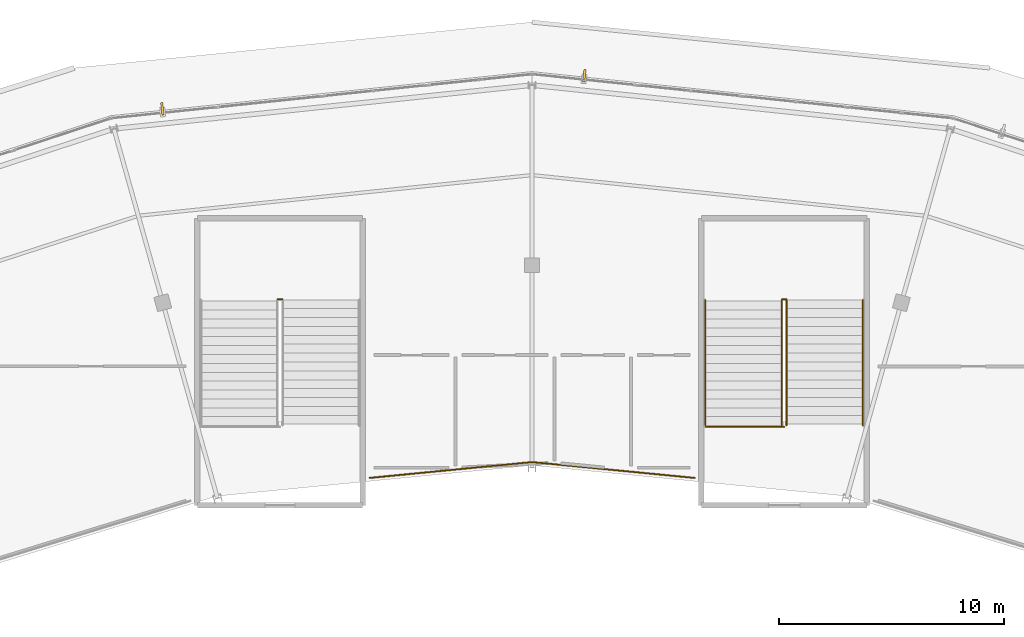
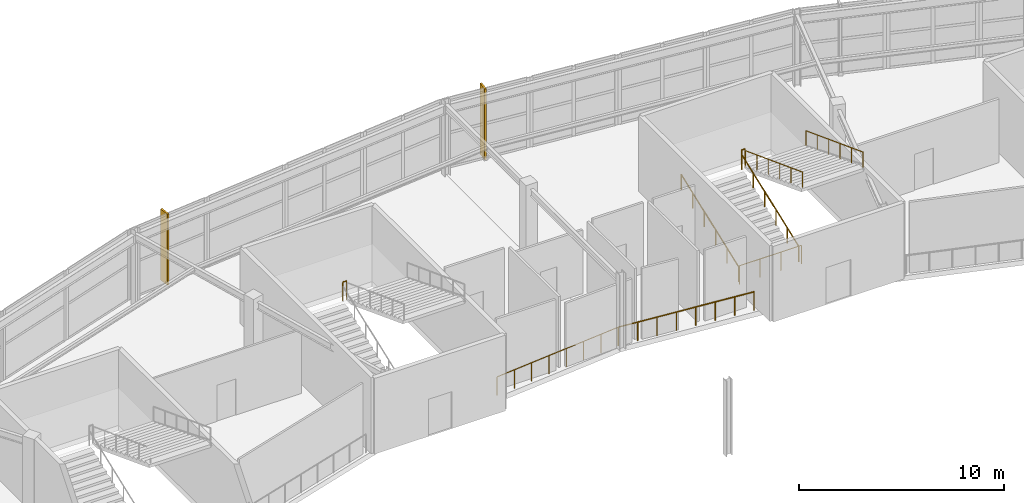
# One storey, part 124 of 126: 9 railings, 2 shading devices.
"""IFC4 building model written with IfcOpenShell, lengths in metres."""

from ifc_helpers import new_model, si_unit, direction, frame, origin, origin_2d, place, context, subcontext, project, spatial, rectangle, circle, extrude, material, layer, layer_set, type_object, element, save


model = new_model("IFC4")

# Units and contexts
model_context = context("Model", 3, precision=1e-05, world=origin(), true_north=direction((0.0, 1.0)))
body_context = subcontext(model_context, "Body", "Model", "MODEL_VIEW")
ifc_project = project(units=[si_unit("LENGTHUNIT", "METRE"), si_unit("AREAUNIT", "SQUARE_METRE"), si_unit("VOLUMEUNIT", "CUBIC_METRE"), si_unit("PLANEANGLEUNIT", "RADIAN"), si_unit("MASSUNIT", "GRAM", prefix="KILO")], contexts=[model_context])

# Site, building, storey
site_placement = place(None, origin())
site = spatial("IfcSite", under=ifc_project, at=site_placement, CompositionType="ELEMENT")
building_placement = place(site_placement, origin())
building = spatial("IfcBuilding", under=site, at=building_placement, Name="Kalgoora Escarpment Arena", CompositionType="ELEMENT")
storey_placement = place(building_placement, frame((0.0, 0.0, 18.89990234375)))
storey = spatial("IfcBuildingStorey", under=building, at=storey_placement, Name="L04", CompositionType="ELEMENT", Elevation=18.89990234375)

# Railings
ifc_material_1 = material(Name="Galvanised & powdercoated tubular steel", Category="steel")
railing_type_1 = type_object("IfcRailingType", Name="RAL-GUARD-1120", PredefinedType="GUARDRAIL", material=ifc_material_1)
railing_1_placement = place(storey_placement, frame((81.10009765625, 111.47998046875, 2.25)))
element("IfcRailing", 1, at=railing_1_placement, inside=storey, type_object=railing_type_1, Name="ST10 L04 half-landing well guard", PredefinedType="GUARDRAIL", context=body_context, shape_type="SweptSolid", body=[
    extrude(circle(Radius=0.02392578125, at=origin_2d()), frame((0.0, 0.0, 1.09619140625), z_axis=(1.0, 0.0, 0.0), x_axis=(0.0, 1.0, 0.0)), (0.0, 0.0, 1.0), 0.199951171875),
    extrude(circle(Radius=0.02099609375, at=origin_2d()), origin(), (0.0, 0.0, 1.0), 1.072021484375),
    extrude(circle(Radius=0.02099609375, at=origin_2d()), frame((0.199951171875, 0.0, 0.0)), (0.0, 0.0, 1.0), 1.072021484375),
])
railing_2_placement = place(storey_placement, frame((103.5048828125, 111.47998046875, 2.25)))
element("IfcRailing", 2, at=railing_2_placement, inside=storey, type_object=railing_type_1, Name="ST11 L04 half-landing well guard", PredefinedType="GUARDRAIL", context=body_context, shape_type="SweptSolid", body=[
    extrude(circle(Radius=0.02392578125, at=origin_2d()), frame((0.0, 0.0, 1.09619140625), z_axis=(1.0, 0.0, 0.0), x_axis=(0.0, 1.0, 0.0)), (0.0, 0.0, 1.0), 0.190185546875),
    extrude(circle(Radius=0.02099609375, at=origin_2d()), origin(), (0.0, 0.0, 1.0), 1.072021484375),
    extrude(circle(Radius=0.02099609375, at=origin_2d()), frame((0.190185546875, 0.0, 0.0)), (0.0, 0.0, 1.0), 1.072021484375),
])
railing_3_placement = place(storey_placement, frame((100.110107421875, 105.81005859375, 0.0)))
element("IfcRailing", 3, at=railing_3_placement, inside=storey, type_object=railing_type_1, Name="ST11 L04 floor landing well guard", PredefinedType="GUARDRAIL", context=body_context, shape_type="SweptSolid", body=[
    extrude(circle(Radius=0.02392578125, at=origin_2d()), frame((0.0, 0.0, 1.09619140625), z_axis=(1.0, 0.0, 0.0), x_axis=(0.0, 1.0, 0.0)), (0.0, 0.0, 1.0), 3.489990234375),
    extrude(circle(Radius=0.02099609375, at=origin_2d()), origin(), (0.0, 0.0, 1.0), 1.072021484375),
    extrude(circle(Radius=0.02099609375, at=origin_2d()), frame((1.163330078125, 0.0, 0.0)), (0.0, 0.0, 1.0), 1.072021484375),
    extrude(circle(Radius=0.02099609375, at=origin_2d()), frame((2.32666015625, 0.0, 0.0)), (0.0, 0.0, 1.0), 1.072021484375),
    extrude(circle(Radius=0.02099609375, at=origin_2d()), frame((3.489990234375, 0.0, 0.0)), (0.0, 0.0, 1.0), 1.072021484375),
])
railing_4_placement = place(storey_placement, frame((99.6201171875, 103.544921875, 0.0)))
element("IfcRailing", 4, at=railing_4_placement, inside=storey, type_object=railing_type_1, Name="L04 concourse bowl balustrade 06", PredefinedType="GUARDRAIL", context=body_context, shape_type="SweptSolid", body=[
    extrude(circle(Radius=0.02392578125, at=origin_2d()), frame((0.0, 0.0, 1.09619140625), z_axis=(-0.99526574542, 0.097191028362, 0.0), x_axis=(-0.097191028362, -0.99526574542, 0.0)), (0.0, 0.0, 1.0), 7.254638671875),
    extrude(circle(Radius=0.02099609375, at=origin_2d()), origin(), (0.0, 0.0, 1.0), 1.072021484375),
    extrude(circle(Radius=0.02099609375, at=origin_2d()), frame((-1.031494140625, 0.100830078125, 0.0)), (0.0, 0.0, 1.0), 1.072021484375),
    extrude(circle(Radius=0.02099609375, at=origin_2d()), frame((-2.06298828125, 0.201416015625, 0.0)), (0.0, 0.0, 1.0), 1.072021484375),
    extrude(circle(Radius=0.02099609375, at=origin_2d()), frame((-3.094482421875, 0.30224609375, 0.0)), (0.0, 0.0, 1.0), 1.072021484375),
    extrude(circle(Radius=0.02099609375, at=origin_2d()), frame((-4.125732421875, 0.40283203125, 0.0)), (0.0, 0.0, 1.0), 1.072021484375),
    extrude(circle(Radius=0.02099609375, at=origin_2d()), frame((-5.1572265625, 0.503662109375, 0.0)), (0.0, 0.0, 1.0), 1.072021484375),
    extrude(circle(Radius=0.02099609375, at=origin_2d()), frame((-6.188720703125, 0.604248046875, 0.0)), (0.0, 0.0, 1.0), 1.072021484375),
    extrude(circle(Radius=0.02099609375, at=origin_2d()), frame((-7.22021484375, 0.705078125, 0.0)), (0.0, 0.0, 1.0), 1.072021484375),
])
railing_5_placement = place(storey_placement, frame((92.39990234375, 104.25, 0.0)))
element("IfcRailing", 5, at=railing_5_placement, inside=storey, type_object=railing_type_1, Name="L04 concourse bowl balustrade 07", PredefinedType="GUARDRAIL", context=body_context, shape_type="SweptSolid", body=[
    extrude(circle(Radius=0.02392578125, at=origin_2d()), frame((0.0, 0.0, 1.09619140625), z_axis=(-0.995265427511, -0.097194283794, 0.0), x_axis=(0.097194283794, -0.995265427511, 0.0)), (0.0, 0.0, 1.0), 7.25439453125),
    extrude(circle(Radius=0.02099609375, at=origin_2d()), origin(), (0.0, 0.0, 1.0), 1.072021484375),
    extrude(circle(Radius=0.02099609375, at=origin_2d()), frame((-1.031494140625, -0.100830078125, 0.0)), (0.0, 0.0, 1.0), 1.072021484375),
    extrude(circle(Radius=0.02099609375, at=origin_2d()), frame((-2.062744140625, -0.201416015625, 0.0)), (0.0, 0.0, 1.0), 1.072021484375),
    extrude(circle(Radius=0.02099609375, at=origin_2d()), frame((-3.09423828125, -0.30224609375, 0.0)), (0.0, 0.0, 1.0), 1.072021484375),
    extrude(circle(Radius=0.02099609375, at=origin_2d()), frame((-4.125732421875, -0.40283203125, 0.0)), (0.0, 0.0, 1.0), 1.072021484375),
    extrude(circle(Radius=0.02099609375, at=origin_2d()), frame((-5.1572265625, -0.503662109375, 0.0)), (0.0, 0.0, 1.0), 1.072021484375),
    extrude(circle(Radius=0.02099609375, at=origin_2d()), frame((-6.1884765625, -0.604248046875, 0.0)), (0.0, 0.0, 1.0), 1.072021484375),
    extrude(circle(Radius=0.02099609375, at=origin_2d()), frame((-7.219970703125, -0.705078125, 0.0)), (0.0, 0.0, 1.0), 1.072021484375),
])
ifc_material_2 = material(Name="Brushed stainless steel 316 handrail", Category="steel")
railing_type_2 = type_object("IfcRailingType", Name="RAL-HAND-920", PredefinedType="HANDRAIL", material=ifc_material_2)
for number, where, name in (
    (6, (100.10009765625, 105.889892578125, 0.110107421875), "ST11 L04 pitched stair handrail F1L"),
    (7, (103.4951171875, 105.889892578125, 0.110107421875), "ST11 L04 pitched stair handrail F1R"),
):
    element("IfcRailing", number, at=place(storey_placement, frame(where)), inside=storey, type_object=railing_type_2, Name=name, PredefinedType="HANDRAIL", context=body_context, shape_type="SweptSolid", body=[
        extrude(circle(Radius=0.02392578125, at=origin_2d()), frame((0.0, 0.0, 0.89599609375), z_axis=(0.0, 0.935492612948, 0.353346248203), x_axis=(-1.0, 0.0, 0.0)), (0.0, 0.0, 1.0), 5.943359375),
        extrude(circle(Radius=0.02099609375, at=origin_2d()), origin(), (0.0, 0.0, 1.0), 0.871826171875),
        extrude(circle(Radius=0.02099609375, at=origin_2d()), frame((0.0, 1.112060546875, 0.419921875)), (0.0, 0.0, 1.0), 0.871826171875),
        extrude(circle(Radius=0.02099609375, at=origin_2d()), frame((0.0, 2.22412109375, 0.840087890625)), (0.0, 0.0, 1.0), 0.871826171875),
        extrude(circle(Radius=0.02099609375, at=origin_2d()), frame((0.0, 3.3359375, 1.260009765625)), (0.0, 0.0, 1.0), 0.871826171875),
        extrude(circle(Radius=0.02099609375, at=origin_2d()), frame((0.0, 4.447998046875, 1.68017578125)), (0.0, 0.0, 1.0), 0.871826171875),
        extrude(circle(Radius=0.02099609375, at=origin_2d()), frame((0.0, 5.56005859375, 2.10009765625)), (0.0, 0.0, 1.0), 0.871826171875),
    ])
for number, where, name in (
    (8, (103.705078125, 111.449951171875, 2.360107421875), "ST11 L04 pitched stair handrail F2L"),
    (9, (107.10009765625, 111.449951171875, 2.360107421875), "ST11 L04 pitched stair handrail F2R"),
):
    element("IfcRailing", number, at=place(storey_placement, frame(where)), inside=storey, type_object=railing_type_2, Name=name, PredefinedType="HANDRAIL", context=body_context, shape_type="SweptSolid", body=[
        extrude(circle(Radius=0.02392578125, at=origin_2d()), frame((0.0, 0.0, 0.89599609375), z_axis=(0.0, -0.935492612948, 0.353346248203), x_axis=(1.0, 0.0, 0.0)), (0.0, 0.0, 1.0), 5.943359375),
        extrude(circle(Radius=0.02099609375, at=origin_2d()), origin(), (0.0, 0.0, 1.0), 0.871826171875),
        extrude(circle(Radius=0.02099609375, at=origin_2d()), frame((0.0, -1.112060546875, 0.419921875)), (0.0, 0.0, 1.0), 0.871826171875),
        extrude(circle(Radius=0.02099609375, at=origin_2d()), frame((0.0, -2.22412109375, 0.840087890625)), (0.0, 0.0, 1.0), 0.871826171875),
        extrude(circle(Radius=0.02099609375, at=origin_2d()), frame((0.0, -3.3359375, 1.260009765625)), (0.0, 0.0, 1.0), 0.871826171875),
        extrude(circle(Radius=0.02099609375, at=origin_2d()), frame((0.0, -4.447998046875, 1.68017578125)), (0.0, 0.0, 1.0), 0.871826171875),
        extrude(circle(Radius=0.02099609375, at=origin_2d()), frame((0.0, -5.56005859375, 2.10009765625)), (0.0, 0.0, 1.0), 0.871826171875),
    ])

# Shading devices
ifc_material_3 = material(Name="Champagne anodised extruded aluminium", Category="aluminium")
ifc_layer = layer(ifc_material_3, 0.080078125)
ifc_layer_set = layer_set([ifc_layer], Name="SHD-FIN-CHAMP")
shading_device_type = type_object("IfcShadingDeviceType", Name="SHD-FIN-CHAMP", PredefinedType="USERDEFINED", material=ifc_layer_set)
shading_device_1_placement = place(storey_placement, frame((75.97265625, 119.939697265625, 0.0), z_axis=(0.0, 0.0, 1.0), x_axis=(-0.104181303275, 0.994558322095, 0.0)))
element("IfcShadingDevice", 10, at=shading_device_1_placement, inside=storey, type_object=shading_device_type, Name="L04 champagne anodised solar fin 33", ObjectType="FIN", PredefinedType="USERDEFINED", context=body_context, shape_type="SweptSolid", body=[
    extrude(rectangle(XDim=0.56005859375, YDim=0.10009765625, at=origin_2d()), origin(), (0.0, 0.0, 1.0), 4.219970703125),
])
shading_device_2_placement = place(storey_placement, frame((94.7236328125, 121.4169921875, 0.0), z_axis=(0.0, 0.0, 1.0), x_axis=(0.104181303275, 0.994558322095, 0.0)))
element("IfcShadingDevice", 11, at=shading_device_2_placement, inside=storey, type_object=shading_device_type, Name="L04 champagne anodised solar fin 34", ObjectType="FIN", PredefinedType="USERDEFINED", context=body_context, shape_type="SweptSolid", body=[
    extrude(rectangle(XDim=0.56005859375, YDim=0.10009765625, at=origin_2d()), origin(), (0.0, 0.0, 1.0), 4.2099609375),
])

save(model, "model.ifc")
